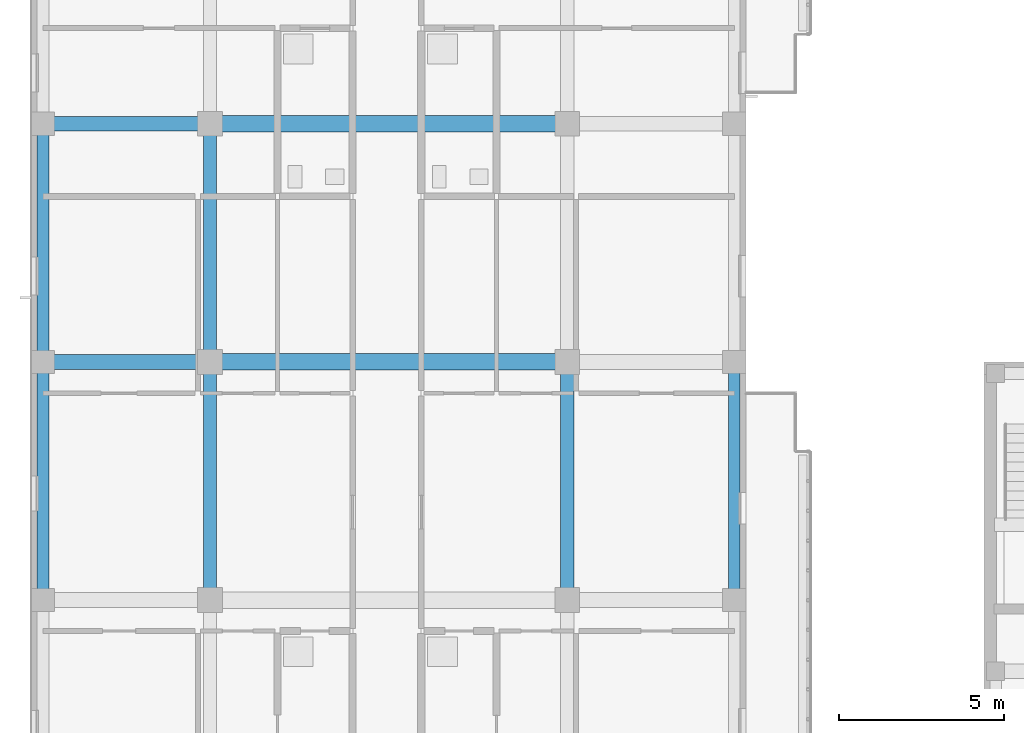
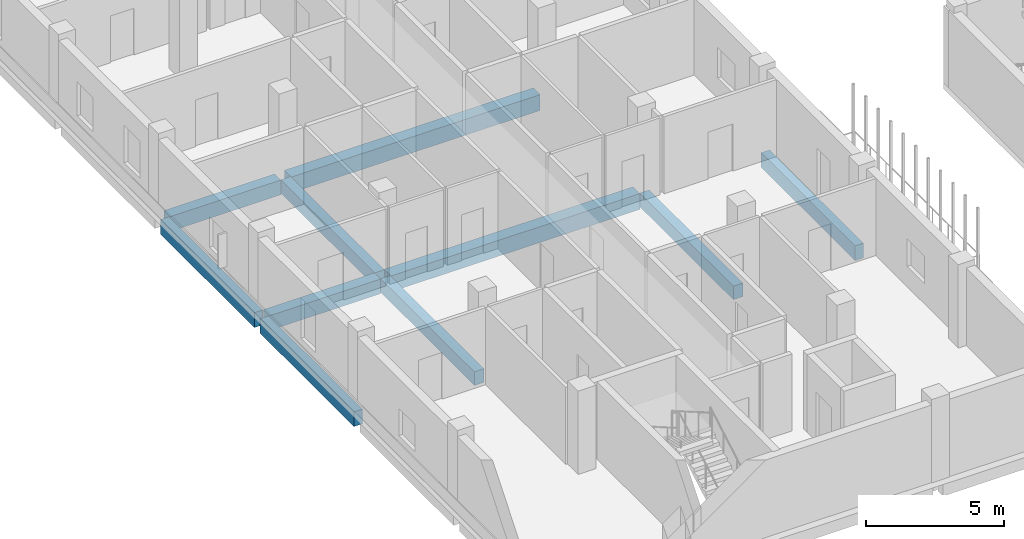
# One storey, part 5 of 73: 10 beams.
"""IFC4 building model written with IfcOpenShell, lengths in metres."""

from ifc_helpers import new_model, si_unit, derived_unit, direction, frame, origin, origin_2d, place, context, subcontext, project, spatial, rectangle, extrude, material, material_profile, profile_set, type_object, element, save


model = new_model("IFC4")

# Units and contexts
model_context = context("Model", 3, precision=1e-05, world=origin(), true_north=direction((0.0, 1.0)))
body_context = subcontext(model_context, "Body", "Model", "MODEL_VIEW")
ifc_project = project(units=[si_unit("LENGTHUNIT", "METRE"), si_unit("AREAUNIT", "SQUARE_METRE"), si_unit("VOLUMEUNIT", "CUBIC_METRE"), si_unit("PLANEANGLEUNIT", "RADIAN"), si_unit("MASSUNIT", "GRAM", prefix="KILO"), derived_unit("THERMALTRANSMITTANCEUNIT", [(si_unit("MASSUNIT", "GRAM", prefix="KILO"), 1), (si_unit("TIMEUNIT", "SECOND"), -3), (si_unit("THERMODYNAMICTEMPERATUREUNIT", "KELVIN"), -1)])], contexts=[model_context])

# Site, building, storey
site_placement = place(None, origin())
site = spatial("IfcSite", under=ifc_project, at=site_placement, CompositionType="ELEMENT")
building_placement = place(site_placement, origin())
building = spatial("IfcBuilding", under=site, at=building_placement, Name="Ochrekiln Boulevard Commons", CompositionType="ELEMENT")
storey_placement = place(building_placement, frame((0.0, 0.0, 4.89990234375)))
storey = spatial("IfcBuildingStorey", under=building, at=storey_placement, Name="L01", CompositionType="ELEMENT", Elevation=4.89990234375)

# Beams
ifc_material_1 = material(Name="Concrete C35/45", Category="concrete")
ifc_material_profile_1 = material_profile(ifc_material_1, rectangle(XDim=0.39990234375, YDim=0.60009765625, at=origin_2d()), Name="RC-BM-400x600")
ifc_profile_set_1 = profile_set([ifc_material_profile_1], Name="Concrete C35/45")
beam_type_1 = type_object("IfcBeamType", Name="BM-RC-400x600", PredefinedType="BEAM", material=ifc_profile_set_1)
beam_1_placement = place(storey_placement, frame((5.39990234375, 14.610107421875, -0.559814453125), z_axis=(0.0, 1.0, 0.0), x_axis=(-1.0, 0.0, 0.0)))
element("IfcBeam", 1, at=beam_1_placement, inside=storey, type_object=beam_type_1, Name="Block D L01 Beam B-4060 Y32", PredefinedType="BEAM", context=body_context, shape_type="SweptSolid", body=[
    extrude(rectangle(XDim=0.39990234375, YDim=0.60009765625, at=origin_2d()), origin(), (0.0, 0.0, 1.0), 6.77978515625),
])
beam_2_placement = place(storey_placement, frame((5.39990234375, 21.81005859375, -0.559814453125), z_axis=(0.0, 1.0, 0.0), x_axis=(-1.0, 0.0, 0.0)))
element("IfcBeam", 2, at=beam_2_placement, inside=storey, type_object=beam_type_1, Name="Block D L01 Beam B-4060 Y33", PredefinedType="BEAM", context=body_context, shape_type="SweptSolid", body=[
    extrude(rectangle(XDim=0.39990234375, YDim=0.60009765625, at=origin_2d()), origin(), (0.0, 0.0, 1.0), 6.780029296875),
])
beam_3_placement = place(storey_placement, frame((16.199951171875, 14.610107421875, -0.559814453125), z_axis=(0.0, 1.0, 0.0), x_axis=(-1.0, 0.0, 0.0)))
element("IfcBeam", 3, at=beam_3_placement, inside=storey, type_object=beam_type_1, Name="Block D L01 Beam B-4060 Y39", PredefinedType="BEAM", context=body_context, shape_type="SweptSolid", body=[
    extrude(rectangle(XDim=0.39990234375, YDim=0.60009765625, at=origin_2d()), origin(), (0.0, 0.0, 1.0), 6.77978515625),
])
ifc_material_profile_2 = material_profile(ifc_material_1, rectangle(XDim=0.449951171875, YDim=0.64990234375, at=origin_2d()), Name="RC-BM-450x650")
ifc_profile_set_2 = profile_set([ifc_material_profile_2], Name="Concrete C35/45")
beam_type_2 = type_object("IfcBeamType", Name="BM-RC-450x650", PredefinedType="BEAM", material=ifc_profile_set_2)
for number, where, z_axis, x_axis, name in (
    (4, (0.56005859375, 21.60009765625, -0.5849609375), (1.0, 0.0, 0.0), (0.0, 1.0, 0.0), "Block D L01 Beam B-4565 X9"),
    (5, (0.56005859375, 28.800048828125, -0.5849609375), (1.0, 0.0, 0.0), (0.0, 1.0, 0.0), "Block D L01 Beam B-4565 X12"),
):
    element("IfcBeam", number, at=place(storey_placement, frame(where, z_axis=z_axis, x_axis=x_axis)), inside=storey, type_object=beam_type_2, Name=name, PredefinedType="BEAM", context=body_context, shape_type="SweptSolid", body=[
        extrude(rectangle(XDim=0.449951171875, YDim=0.64990234375, at=origin_2d()), origin(), (0.0, 0.0, 1.0), 4.6298828125),
    ])
ifc_material_2 = material(Name="Concrete C40/50", Category="concrete")
ifc_material_profile_3 = material_profile(ifc_material_2, rectangle(XDim=0.5, YDim=0.699951171875, at=origin_2d()), Name="RC-BM-500x700")
ifc_profile_set_3 = profile_set([ifc_material_profile_3], Name="Concrete C40/50")
beam_type_3 = type_object("IfcBeamType", Name="BM-RC-500x700", PredefinedType="BEAM", material=ifc_profile_set_3)
for number, where, z_axis, x_axis, name in (
    (6, (5.610107421875, 21.60009765625, -0.60986328125), (1.0, 0.0, 0.0), (0.0, 1.0, 0.0), "Block D L01 Beam B-5070 X10"),
    (7, (5.610107421875, 28.800048828125, -0.60986328125), (1.0, 0.0, 0.0), (0.0, 1.0, 0.0), "Block D L01 Beam B-5070 X13"),
):
    element("IfcBeam", number, at=place(storey_placement, frame(where, z_axis=z_axis, x_axis=x_axis)), inside=storey, type_object=beam_type_3, Name=name, PredefinedType="BEAM", context=body_context, shape_type="SweptSolid", body=[
        extrude(rectangle(XDim=0.5, YDim=0.699951171875, at=origin_2d()), origin(), (0.0, 0.0, 1.0), 10.3798828125),
    ])
ifc_material_profile_4 = material_profile(ifc_material_2, rectangle(XDim=0.35009765625, YDim=0.64990234375, at=origin_2d()), Name="RC-SPN-350x650")
ifc_profile_set_4 = profile_set([ifc_material_profile_4], Name="Concrete C40/50")
beam_type_4 = type_object("IfcBeamType", Name="SPN-RC-350x650", PredefinedType="SPANDREL", material=ifc_profile_set_4)
beam_4_placement = place(storey_placement, frame((0.35009765625, 14.610107421875, -0.5849609375), z_axis=(0.0, 1.0, 0.0), x_axis=(-1.0, 0.0, 0.0)))
element("IfcBeam", 8, at=beam_4_placement, inside=storey, type_object=beam_type_4, Name="Block D L01 Beam SP-3565 Y25", PredefinedType="SPANDREL", context=body_context, shape_type="SweptSolid", body=[
    extrude(rectangle(XDim=0.35009765625, YDim=0.64990234375, at=origin_2d()), origin(), (0.0, 0.0, 1.0), 6.77978515625),
])
beam_5_placement = place(storey_placement, frame((0.35009765625, 21.81005859375, -0.5849609375), z_axis=(0.0, 1.0, 0.0), x_axis=(-1.0, 0.0, 0.0)))
element("IfcBeam", 9, at=beam_5_placement, inside=storey, type_object=beam_type_4, Name="Block D L01 Beam SP-3565 Y26", PredefinedType="SPANDREL", context=body_context, shape_type="SweptSolid", body=[
    extrude(rectangle(XDim=0.35009765625, YDim=0.64990234375, at=origin_2d()), origin(), (0.0, 0.0, 1.0), 6.780029296875),
])
beam_6_placement = place(storey_placement, frame((21.25, 14.610107421875, -0.5849609375), z_axis=(0.0, 1.0, 0.0), x_axis=(-1.0, 0.0, 0.0)))
element("IfcBeam", 10, at=beam_6_placement, inside=storey, type_object=beam_type_4, Name="Block D L01 Beam SP-3565 Y46", PredefinedType="SPANDREL", context=body_context, shape_type="SweptSolid", body=[
    extrude(rectangle(XDim=0.35009765625, YDim=0.64990234375, at=origin_2d()), origin(), (0.0, 0.0, 1.0), 6.77978515625),
])

save(model, "model.ifc")
